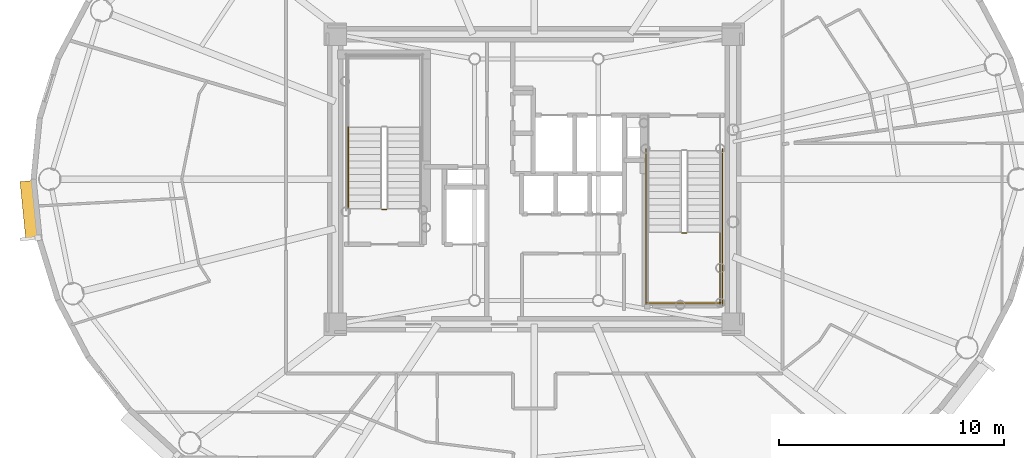
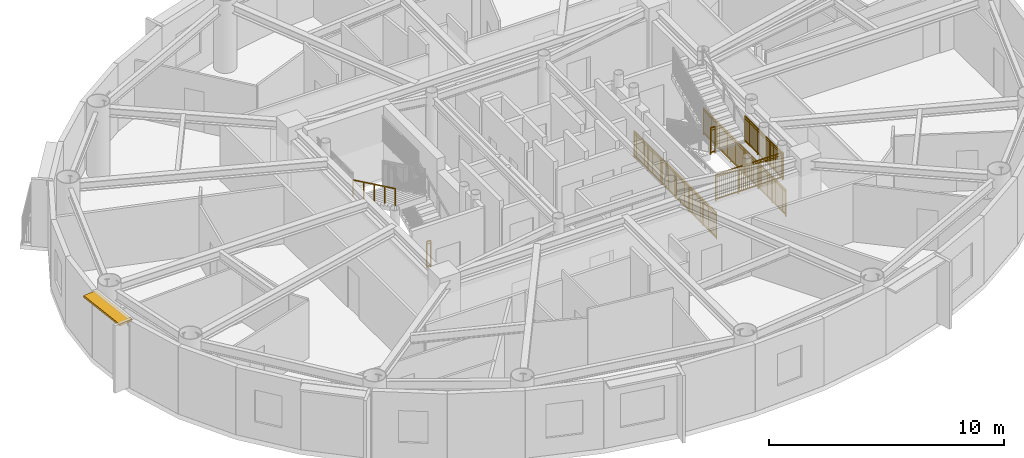
# One storey, part 12 of 17: 7 railings, 1 shading device.
"""IFC4 building model written with IfcOpenShell, lengths in metres."""

from ifc_helpers import new_model, si_unit, direction, frame, origin, origin_2d, place, context, subcontext, project, spatial, rectangle, extrude, source, transform, mapped, material, layer, layer_set, type_object, element, save


model = new_model("IFC4")

# Units and contexts
model_context = context("Model", 3, precision=1e-05, world=origin(), true_north=direction((0.0, 1.0)))
body_context = subcontext(model_context, "Body", "Model", "MODEL_VIEW")
ifc_project = project(units=[si_unit("LENGTHUNIT", "METRE"), si_unit("AREAUNIT", "SQUARE_METRE"), si_unit("VOLUMEUNIT", "CUBIC_METRE"), si_unit("PLANEANGLEUNIT", "RADIAN"), si_unit("MASSUNIT", "GRAM", prefix="KILO")], contexts=[model_context])

# Site, building, storey
site_placement = place(None, origin())
site = spatial("IfcSite", under=ifc_project, at=site_placement, CompositionType="ELEMENT")
building_placement = place(site_placement, origin())
building = spatial("IfcBuilding", under=site, at=building_placement, Name="Linh Dai School and Residence Tower", CompositionType="ELEMENT")
storey_placement = place(building_placement, frame((0.0, 0.0, 276.75)))
storey = spatial("IfcBuildingStorey", under=building, at=storey_placement, Name="L68", CompositionType="ELEMENT", Elevation=276.75)

# Shading device
ifc_material_1 = material(Name="Terracotta Ceramic Sunshade", Category="masonry")
ifc_layer = layer(ifc_material_1, 0.10009765625)
ifc_layer_set = layer_set([ifc_layer], Name="Terracotta Ceramic Sunshade")
shading_device_type = type_object("IfcShadingDeviceType", Name="SHD-TC-650", PredefinedType="USERDEFINED", material=ifc_layer_set)
shared_shape_1 = source(origin(), body_context, "Body", "SweptSolid", [
    extrude(rectangle(XDim=2.62353515625, YDim=0.64990234375, at=origin_2d()), origin(), (0.0, 0.0, 1.0), 0.10009765625),
])
shading_device_placement = place(storey_placement, frame((13.578125, 25.612060546875, 3.3798828125), z_axis=(0.0, 0.0, 1.0), x_axis=(-0.100008034283, 0.994986629598, 0.0)))
element("IfcShadingDevice", 1, at=shading_device_placement, inside=storey, type_object=shading_device_type, Name="L68 Terracotta Horizontal Sunshade Band 21", ObjectType="SUNSHADE", PredefinedType="USERDEFINED", context=body_context, shape_type="MappedRepresentation", body=[
    mapped(shared_shape_1, transform((0.0, 0.0, 0.0), x_axis=(1.0, 0.0, 0.0), y_axis=(0.0, 1.0, 0.0), z_axis=(0.0, 0.0, 1.0), scale=1.0)),
])

# Railings
ifc_material_2 = material(Name="Structural Steel S355JR", Category="steel")
railing_type_1 = type_object("IfcRailingType", Name="RL-ST-GUARD-1400", PredefinedType="GUARDRAIL", material=ifc_material_2)
shared_shape_2 = source(origin(), body_context, "Body", "SweptSolid", [
    extrude(rectangle(XDim=0.048095703125, YDim=0.048095703125, at=origin_2d()), frame((0.0, 0.0, 1.3759765625), z_axis=(-1.0, 0.0, 0.0), x_axis=(0.0, -1.0, 0.0)), (0.0, 0.0, 1.0), 0.199951171875),
    extrude(rectangle(XDim=0.048095703125, YDim=0.048095703125, at=origin_2d()), frame((0.0, 0.0, 0.10009765625), z_axis=(-1.0, 0.0, 0.0), x_axis=(0.0, -1.0, 0.0)), (0.0, 0.0, 1.0), 0.199951171875),
    extrude(rectangle(XDim=0.030029296875, YDim=0.030029296875, at=origin_2d()), frame((0.0, 0.0, 1.239990234375), z_axis=(-1.0, 0.0, 0.0), x_axis=(0.0, -1.0, 0.0)), (0.0, 0.0, 1.0), 0.199951171875),
    extrude(rectangle(XDim=0.0419921875, YDim=0.0419921875, at=origin_2d()), origin(), (0.0, 0.0, 1.0), 1.3759765625),
    extrude(rectangle(XDim=0.0419921875, YDim=0.0419921875, at=origin_2d()), frame((-0.199951171875, 0.0, 0.0)), (0.0, 0.0, 1.0), 1.3759765625),
])
railing_1_placement = place(storey_placement, frame((29.429931640625, 25.64990234375, 0.0)))
element("IfcRailing", 2, at=railing_1_placement, inside=storey, type_object=railing_type_1, Name="L68 ST1 stair guard 7", PredefinedType="GUARDRAIL", context=body_context, shape_type="MappedRepresentation", body=[
    mapped(shared_shape_2, transform((0.0, 0.0, 0.0), x_axis=(1.0, 0.0, 0.0), y_axis=(0.0, 1.0, 0.0), z_axis=(0.0, 0.0, 1.0), scale=1.0)),
])
ifc_material_3 = material(Name="Brushed Stainless Steel Handrail", Category="steel")
railing_type_2 = type_object("IfcRailingType", Name="RL-ST-HANDRAIL-900", PredefinedType="HANDRAIL", material=ifc_material_3)
shared_shape_3 = source(origin(), body_context, "Body", "SweptSolid", [
    extrude(rectangle(XDim=0.048095703125, YDim=0.048095703125, at=origin_2d()), frame((0.0, 0.0, 0.8759765625), z_axis=(0.0, -0.901262522062, 0.433273431364), x_axis=(1.0, 0.0, 0.0)), (0.0, 0.0, 1.0), 3.994384765625),
    extrude(rectangle(XDim=0.0419921875, YDim=0.0419921875, at=origin_2d()), origin(), (0.0, 0.0, 1.0), 0.8759765625),
    extrude(rectangle(XDim=0.0419921875, YDim=0.0419921875, at=origin_2d()), frame((0.0, -0.89990234375, 0.4326171875)), (0.0, 0.0, 1.0), 0.8759765625),
    extrude(rectangle(XDim=0.0419921875, YDim=0.0419921875, at=origin_2d()), frame((0.0, -1.800048828125, 0.865234375)), (0.0, 0.0, 1.0), 0.8759765625),
    extrude(rectangle(XDim=0.0419921875, YDim=0.0419921875, at=origin_2d()), frame((0.0, -2.7001953125, 1.298095703125)), (0.0, 0.0, 1.0), 0.8759765625),
    extrude(rectangle(XDim=0.0419921875, YDim=0.0419921875, at=origin_2d()), frame((0.0, -3.60009765625, 1.730712890625)), (0.0, 0.0, 1.0), 0.8759765625),
])
railing_2_placement = place(storey_placement, frame((27.72998046875, 29.300048828125, 2.019287109375)))
element("IfcRailing", 3, at=railing_2_placement, inside=storey, type_object=railing_type_2, Name="L68 ST1 stair handrail 2", PredefinedType="HANDRAIL", context=body_context, shape_type="MappedRepresentation", body=[
    mapped(shared_shape_3, transform((0.0, 0.0, 0.0), x_axis=(1.0, 0.0, 0.0), y_axis=(0.0, 1.0, 0.0), z_axis=(0.0, 0.0, 1.0), scale=1.0)),
])
shared_shape_4 = source(origin(), body_context, "Body", "SweptSolid", [
    extrude(rectangle(XDim=0.048095703125, YDim=0.048095703125, at=origin_2d()), frame((0.0, 0.0, 1.3759765625), z_axis=(1.0, 0.0, 0.0), x_axis=(0.0, 1.0, 0.0)), (0.0, 0.0, 1.0), 0.199951171875),
    extrude(rectangle(XDim=0.048095703125, YDim=0.048095703125, at=origin_2d()), frame((0.0, 0.0, 0.10009765625), z_axis=(1.0, 0.0, 0.0), x_axis=(0.0, 1.0, 0.0)), (0.0, 0.0, 1.0), 0.199951171875),
    extrude(rectangle(XDim=0.030029296875, YDim=0.030029296875, at=origin_2d()), frame((0.0, 0.0, 1.239990234375), z_axis=(1.0, 0.0, 0.0), x_axis=(0.0, 1.0, 0.0)), (0.0, 0.0, 1.0), 0.199951171875),
    extrude(rectangle(XDim=0.0419921875, YDim=0.0419921875, at=origin_2d()), origin(), (0.0, 0.0, 1.0), 1.3759765625),
    extrude(rectangle(XDim=0.0419921875, YDim=0.0419921875, at=origin_2d()), frame((0.199951171875, 0.0, 0.0)), (0.0, 0.0, 1.0), 1.3759765625),
])
railing_3_placement = place(storey_placement, frame((42.570068359375, 24.60009765625, 1.875)))
element("IfcRailing", 4, at=railing_3_placement, inside=storey, type_object=railing_type_1, Name="L68 ST2 stair guard 2", PredefinedType="GUARDRAIL", context=body_context, shape_type="MappedRepresentation", body=[
    mapped(shared_shape_4, transform((0.0, 0.0, 0.0), x_axis=(1.0, 0.0, 0.0), y_axis=(0.0, 1.0, 0.0), z_axis=(0.0, 0.0, 1.0), scale=1.0)),
])
shared_shape_5 = source(origin(), body_context, "Body", "SweptSolid", [
    extrude(rectangle(XDim=0.048095703125, YDim=0.048095703125, at=origin_2d()), frame((0.0, 0.0, 1.3759765625), z_axis=(1.0, 0.0, 0.0), x_axis=(0.0, 1.0, 0.0)), (0.0, 0.0, 1.0), 3.300048828125),
    extrude(rectangle(XDim=0.048095703125, YDim=0.048095703125, at=origin_2d()), frame((0.0, 0.0, 0.10009765625), z_axis=(1.0, 0.0, 0.0), x_axis=(0.0, 1.0, 0.0)), (0.0, 0.0, 1.0), 3.300048828125),
    extrude(rectangle(XDim=0.030029296875, YDim=0.030029296875, at=origin_2d()), frame((0.0, 0.0, 1.239990234375), z_axis=(1.0, 0.0, 0.0), x_axis=(0.0, 1.0, 0.0)), (0.0, 0.0, 1.0), 3.300048828125),
    extrude(rectangle(XDim=0.02001953125, YDim=0.02001953125, at=origin_2d()), frame((0.09716796875, 0.0, 0.10009765625)), (0.0, 0.0, 1.0), 1.251708984375),
    extrude(rectangle(XDim=0.02001953125, YDim=0.02001953125, at=origin_2d()), frame((0.194091796875, 0.0, 0.10009765625)), (0.0, 0.0, 1.0), 1.251708984375),
    extrude(rectangle(XDim=0.02001953125, YDim=0.02001953125, at=origin_2d()), frame((0.291259765625, 0.0, 0.10009765625)), (0.0, 0.0, 1.0), 1.251708984375),
    extrude(rectangle(XDim=0.02001953125, YDim=0.02001953125, at=origin_2d()), frame((0.38818359375, 0.0, 0.10009765625)), (0.0, 0.0, 1.0), 1.251708984375),
    extrude(rectangle(XDim=0.02001953125, YDim=0.02001953125, at=origin_2d()), frame((0.4853515625, 0.0, 0.10009765625)), (0.0, 0.0, 1.0), 1.251708984375),
    extrude(rectangle(XDim=0.02001953125, YDim=0.02001953125, at=origin_2d()), frame((0.582275390625, 0.0, 0.10009765625)), (0.0, 0.0, 1.0), 1.251708984375),
    extrude(rectangle(XDim=0.02001953125, YDim=0.02001953125, at=origin_2d()), frame((0.679443359375, 0.0, 0.10009765625)), (0.0, 0.0, 1.0), 1.251708984375),
    extrude(rectangle(XDim=0.02001953125, YDim=0.02001953125, at=origin_2d()), frame((0.7763671875, 0.0, 0.10009765625)), (0.0, 0.0, 1.0), 1.251708984375),
    extrude(rectangle(XDim=0.02001953125, YDim=0.02001953125, at=origin_2d()), frame((0.87353515625, 0.0, 0.10009765625)), (0.0, 0.0, 1.0), 1.251708984375),
    extrude(rectangle(XDim=0.02001953125, YDim=0.02001953125, at=origin_2d()), frame((0.970703125, 0.0, 0.10009765625)), (0.0, 0.0, 1.0), 1.251708984375),
    extrude(rectangle(XDim=0.02001953125, YDim=0.02001953125, at=origin_2d()), frame((1.164794921875, 0.0, 0.10009765625)), (0.0, 0.0, 1.0), 1.251708984375),
    extrude(rectangle(XDim=0.02001953125, YDim=0.02001953125, at=origin_2d()), frame((1.26171875, 0.0, 0.10009765625)), (0.0, 0.0, 1.0), 1.251708984375),
    extrude(rectangle(XDim=0.02001953125, YDim=0.02001953125, at=origin_2d()), frame((1.35888671875, 0.0, 0.10009765625)), (0.0, 0.0, 1.0), 1.251708984375),
    extrude(rectangle(XDim=0.02001953125, YDim=0.02001953125, at=origin_2d()), frame((1.455810546875, 0.0, 0.10009765625)), (0.0, 0.0, 1.0), 1.251708984375),
    extrude(rectangle(XDim=0.02001953125, YDim=0.02001953125, at=origin_2d()), frame((1.552978515625, 0.0, 0.10009765625)), (0.0, 0.0, 1.0), 1.251708984375),
    extrude(rectangle(XDim=0.02001953125, YDim=0.02001953125, at=origin_2d()), frame((1.64990234375, 0.0, 0.10009765625)), (0.0, 0.0, 1.0), 1.251708984375),
    extrude(rectangle(XDim=0.02001953125, YDim=0.02001953125, at=origin_2d()), frame((1.7470703125, 0.0, 0.10009765625)), (0.0, 0.0, 1.0), 1.251708984375),
    extrude(rectangle(XDim=0.02001953125, YDim=0.02001953125, at=origin_2d()), frame((1.84423828125, 0.0, 0.10009765625)), (0.0, 0.0, 1.0), 1.251708984375),
    extrude(rectangle(XDim=0.02001953125, YDim=0.02001953125, at=origin_2d()), frame((1.941162109375, 0.0, 0.10009765625)), (0.0, 0.0, 1.0), 1.251708984375),
    extrude(rectangle(XDim=0.02001953125, YDim=0.02001953125, at=origin_2d()), frame((2.038330078125, 0.0, 0.10009765625)), (0.0, 0.0, 1.0), 1.251708984375),
    extrude(rectangle(XDim=0.02001953125, YDim=0.02001953125, at=origin_2d()), frame((2.13525390625, 0.0, 0.10009765625)), (0.0, 0.0, 1.0), 1.251708984375),
    extrude(rectangle(XDim=0.02001953125, YDim=0.02001953125, at=origin_2d()), frame((2.329345703125, 0.0, 0.10009765625)), (0.0, 0.0, 1.0), 1.251708984375),
    extrude(rectangle(XDim=0.02001953125, YDim=0.02001953125, at=origin_2d()), frame((2.426513671875, 0.0, 0.10009765625)), (0.0, 0.0, 1.0), 1.251708984375),
    extrude(rectangle(XDim=0.02001953125, YDim=0.02001953125, at=origin_2d()), frame((2.523681640625, 0.0, 0.10009765625)), (0.0, 0.0, 1.0), 1.251708984375),
    extrude(rectangle(XDim=0.02001953125, YDim=0.02001953125, at=origin_2d()), frame((2.62060546875, 0.0, 0.10009765625)), (0.0, 0.0, 1.0), 1.251708984375),
    extrude(rectangle(XDim=0.02001953125, YDim=0.02001953125, at=origin_2d()), frame((2.7177734375, 0.0, 0.10009765625)), (0.0, 0.0, 1.0), 1.251708984375),
    extrude(rectangle(XDim=0.02001953125, YDim=0.02001953125, at=origin_2d()), frame((2.814697265625, 0.0, 0.10009765625)), (0.0, 0.0, 1.0), 1.251708984375),
    extrude(rectangle(XDim=0.02001953125, YDim=0.02001953125, at=origin_2d()), frame((2.911865234375, 0.0, 0.10009765625)), (0.0, 0.0, 1.0), 1.251708984375),
    extrude(rectangle(XDim=0.02001953125, YDim=0.02001953125, at=origin_2d()), frame((3.0087890625, 0.0, 0.10009765625)), (0.0, 0.0, 1.0), 1.251708984375),
    extrude(rectangle(XDim=0.02001953125, YDim=0.02001953125, at=origin_2d()), frame((3.10595703125, 0.0, 0.10009765625)), (0.0, 0.0, 1.0), 1.251708984375),
    extrude(rectangle(XDim=0.02001953125, YDim=0.02001953125, at=origin_2d()), frame((3.202880859375, 0.0, 0.10009765625)), (0.0, 0.0, 1.0), 1.251708984375),
    extrude(rectangle(XDim=0.0419921875, YDim=0.0419921875, at=origin_2d()), origin(), (0.0, 0.0, 1.0), 1.3759765625),
    extrude(rectangle(XDim=0.0419921875, YDim=0.0419921875, at=origin_2d()), frame((1.10009765625, 0.0, 0.0)), (0.0, 0.0, 1.0), 1.3759765625),
    extrude(rectangle(XDim=0.0419921875, YDim=0.0419921875, at=origin_2d()), frame((2.199951171875, 0.0, 0.0)), (0.0, 0.0, 1.0), 1.3759765625),
    extrude(rectangle(XDim=0.0419921875, YDim=0.0419921875, at=origin_2d()), frame((3.300048828125, 0.0, 0.0)), (0.0, 0.0, 1.0), 1.3759765625),
])
railing_4_placement = place(storey_placement, frame((41.02001953125, 21.5, 1.875)))
element("IfcRailing", 5, at=railing_4_placement, inside=storey, type_object=railing_type_1, Name="L68 ST2 stair guard 5", PredefinedType="GUARDRAIL", context=body_context, shape_type="MappedRepresentation", body=[
    mapped(shared_shape_5, transform((0.0, 0.0, 0.0), x_axis=(1.0, 0.0, 0.0), y_axis=(0.0, 1.0, 0.0), z_axis=(0.0, 0.0, 1.0), scale=1.0)),
])
shared_shape_6 = source(origin(), body_context, "Body", "SweptSolid", [
    extrude(rectangle(XDim=0.048095703125, YDim=0.048095703125, at=origin_2d()), frame((0.0, 0.0, 1.3759765625), z_axis=(0.0, -1.0, 0.0), x_axis=(1.0, 0.0, 0.0)), (0.0, 0.0, 1.0), 7.0),
    extrude(rectangle(XDim=0.048095703125, YDim=0.048095703125, at=origin_2d()), frame((0.0, 0.0, 0.10009765625), z_axis=(0.0, -1.0, 0.0), x_axis=(1.0, 0.0, 0.0)), (0.0, 0.0, 1.0), 7.0),
    extrude(rectangle(XDim=0.030029296875, YDim=0.030029296875, at=origin_2d()), frame((0.0, 0.0, 1.239990234375), z_axis=(0.0, -1.0, 0.0), x_axis=(1.0, 0.0, 0.0)), (0.0, 0.0, 1.0), 7.0),
    extrude(rectangle(XDim=0.02001953125, YDim=0.02001953125, at=origin_2d()), frame((0.0, -0.09716796875, 0.10009765625)), (0.0, 0.0, 1.0), 1.251708984375),
    extrude(rectangle(XDim=0.02001953125, YDim=0.02001953125, at=origin_2d()), frame((0.0, -0.1943359375, 0.10009765625)), (0.0, 0.0, 1.0), 1.251708984375),
    extrude(rectangle(XDim=0.02001953125, YDim=0.02001953125, at=origin_2d()), frame((0.0, -0.291748046875, 0.10009765625)), (0.0, 0.0, 1.0), 1.251708984375),
    extrude(rectangle(XDim=0.02001953125, YDim=0.02001953125, at=origin_2d()), frame((0.0, -0.388916015625, 0.10009765625)), (0.0, 0.0, 1.0), 1.251708984375),
    extrude(rectangle(XDim=0.02001953125, YDim=0.02001953125, at=origin_2d()), frame((0.0, -0.486083984375, 0.10009765625)), (0.0, 0.0, 1.0), 1.251708984375),
    extrude(rectangle(XDim=0.02001953125, YDim=0.02001953125, at=origin_2d()), frame((0.0, -0.583251953125, 0.10009765625)), (0.0, 0.0, 1.0), 1.251708984375),
    extrude(rectangle(XDim=0.02001953125, YDim=0.02001953125, at=origin_2d()), frame((0.0, -0.6806640625, 0.10009765625)), (0.0, 0.0, 1.0), 1.251708984375),
    extrude(rectangle(XDim=0.02001953125, YDim=0.02001953125, at=origin_2d()), frame((0.0, -0.77783203125, 0.10009765625)), (0.0, 0.0, 1.0), 1.251708984375),
    extrude(rectangle(XDim=0.02001953125, YDim=0.02001953125, at=origin_2d()), frame((0.0, -0.875, 0.10009765625)), (0.0, 0.0, 1.0), 1.251708984375),
    extrude(rectangle(XDim=0.02001953125, YDim=0.02001953125, at=origin_2d()), frame((0.0, -0.97216796875, 0.10009765625)), (0.0, 0.0, 1.0), 1.251708984375),
    extrude(rectangle(XDim=0.02001953125, YDim=0.02001953125, at=origin_2d()), frame((0.0, -1.0693359375, 0.10009765625)), (0.0, 0.0, 1.0), 1.251708984375),
    extrude(rectangle(XDim=0.02001953125, YDim=0.02001953125, at=origin_2d()), frame((0.0, -1.263916015625, 0.10009765625)), (0.0, 0.0, 1.0), 1.251708984375),
    extrude(rectangle(XDim=0.02001953125, YDim=0.02001953125, at=origin_2d()), frame((0.0, -1.361083984375, 0.10009765625)), (0.0, 0.0, 1.0), 1.251708984375),
    extrude(rectangle(XDim=0.02001953125, YDim=0.02001953125, at=origin_2d()), frame((0.0, -1.458251953125, 0.10009765625)), (0.0, 0.0, 1.0), 1.251708984375),
    extrude(rectangle(XDim=0.02001953125, YDim=0.02001953125, at=origin_2d()), frame((0.0, -1.5556640625, 0.10009765625)), (0.0, 0.0, 1.0), 1.251708984375),
    extrude(rectangle(XDim=0.02001953125, YDim=0.02001953125, at=origin_2d()), frame((0.0, -1.65283203125, 0.10009765625)), (0.0, 0.0, 1.0), 1.251708984375),
    extrude(rectangle(XDim=0.02001953125, YDim=0.02001953125, at=origin_2d()), frame((0.0, -1.75, 0.10009765625)), (0.0, 0.0, 1.0), 1.251708984375),
    extrude(rectangle(XDim=0.02001953125, YDim=0.02001953125, at=origin_2d()), frame((0.0, -1.84716796875, 0.10009765625)), (0.0, 0.0, 1.0), 1.251708984375),
    extrude(rectangle(XDim=0.02001953125, YDim=0.02001953125, at=origin_2d()), frame((0.0, -1.9443359375, 0.10009765625)), (0.0, 0.0, 1.0), 1.251708984375),
    extrude(rectangle(XDim=0.02001953125, YDim=0.02001953125, at=origin_2d()), frame((0.0, -2.041748046875, 0.10009765625)), (0.0, 0.0, 1.0), 1.251708984375),
    extrude(rectangle(XDim=0.02001953125, YDim=0.02001953125, at=origin_2d()), frame((0.0, -2.138916015625, 0.10009765625)), (0.0, 0.0, 1.0), 1.251708984375),
    extrude(rectangle(XDim=0.02001953125, YDim=0.02001953125, at=origin_2d()), frame((0.0, -2.236083984375, 0.10009765625)), (0.0, 0.0, 1.0), 1.251708984375),
    extrude(rectangle(XDim=0.02001953125, YDim=0.02001953125, at=origin_2d()), frame((0.0, -2.4306640625, 0.10009765625)), (0.0, 0.0, 1.0), 1.251708984375),
    extrude(rectangle(XDim=0.02001953125, YDim=0.02001953125, at=origin_2d()), frame((0.0, -2.52783203125, 0.10009765625)), (0.0, 0.0, 1.0), 1.251708984375),
    extrude(rectangle(XDim=0.02001953125, YDim=0.02001953125, at=origin_2d()), frame((0.0, -2.625, 0.10009765625)), (0.0, 0.0, 1.0), 1.251708984375),
    extrude(rectangle(XDim=0.02001953125, YDim=0.02001953125, at=origin_2d()), frame((0.0, -2.72216796875, 0.10009765625)), (0.0, 0.0, 1.0), 1.251708984375),
    extrude(rectangle(XDim=0.02001953125, YDim=0.02001953125, at=origin_2d()), frame((0.0, -2.8193359375, 0.10009765625)), (0.0, 0.0, 1.0), 1.251708984375),
    extrude(rectangle(XDim=0.02001953125, YDim=0.02001953125, at=origin_2d()), frame((0.0, -2.916748046875, 0.10009765625)), (0.0, 0.0, 1.0), 1.251708984375),
    extrude(rectangle(XDim=0.02001953125, YDim=0.02001953125, at=origin_2d()), frame((0.0, -3.013916015625, 0.10009765625)), (0.0, 0.0, 1.0), 1.251708984375),
    extrude(rectangle(XDim=0.02001953125, YDim=0.02001953125, at=origin_2d()), frame((0.0, -3.111083984375, 0.10009765625)), (0.0, 0.0, 1.0), 1.251708984375),
    extrude(rectangle(XDim=0.02001953125, YDim=0.02001953125, at=origin_2d()), frame((0.0, -3.208251953125, 0.10009765625)), (0.0, 0.0, 1.0), 1.251708984375),
    extrude(rectangle(XDim=0.02001953125, YDim=0.02001953125, at=origin_2d()), frame((0.0, -3.3056640625, 0.10009765625)), (0.0, 0.0, 1.0), 1.251708984375),
    extrude(rectangle(XDim=0.02001953125, YDim=0.02001953125, at=origin_2d()), frame((0.0, -3.40283203125, 0.10009765625)), (0.0, 0.0, 1.0), 1.251708984375),
    extrude(rectangle(XDim=0.02001953125, YDim=0.02001953125, at=origin_2d()), frame((0.0, -3.59716796875, 0.10009765625)), (0.0, 0.0, 1.0), 1.251708984375),
    extrude(rectangle(XDim=0.02001953125, YDim=0.02001953125, at=origin_2d()), frame((0.0, -3.6943359375, 0.10009765625)), (0.0, 0.0, 1.0), 1.251708984375),
    extrude(rectangle(XDim=0.02001953125, YDim=0.02001953125, at=origin_2d()), frame((0.0, -3.791748046875, 0.10009765625)), (0.0, 0.0, 1.0), 1.251708984375),
    extrude(rectangle(XDim=0.02001953125, YDim=0.02001953125, at=origin_2d()), frame((0.0, -3.888916015625, 0.10009765625)), (0.0, 0.0, 1.0), 1.251708984375),
    extrude(rectangle(XDim=0.02001953125, YDim=0.02001953125, at=origin_2d()), frame((0.0, -3.986083984375, 0.10009765625)), (0.0, 0.0, 1.0), 1.251708984375),
    extrude(rectangle(XDim=0.02001953125, YDim=0.02001953125, at=origin_2d()), frame((0.0, -4.083251953125, 0.10009765625)), (0.0, 0.0, 1.0), 1.251708984375),
    extrude(rectangle(XDim=0.02001953125, YDim=0.02001953125, at=origin_2d()), frame((0.0, -4.1806640625, 0.10009765625)), (0.0, 0.0, 1.0), 1.251708984375),
    extrude(rectangle(XDim=0.02001953125, YDim=0.02001953125, at=origin_2d()), frame((0.0, -4.27783203125, 0.10009765625)), (0.0, 0.0, 1.0), 1.251708984375),
    extrude(rectangle(XDim=0.02001953125, YDim=0.02001953125, at=origin_2d()), frame((0.0, -4.375, 0.10009765625)), (0.0, 0.0, 1.0), 1.251708984375),
    extrude(rectangle(XDim=0.02001953125, YDim=0.02001953125, at=origin_2d()), frame((0.0, -4.47216796875, 0.10009765625)), (0.0, 0.0, 1.0), 1.251708984375),
    extrude(rectangle(XDim=0.02001953125, YDim=0.02001953125, at=origin_2d()), frame((0.0, -4.5693359375, 0.10009765625)), (0.0, 0.0, 1.0), 1.251708984375),
    extrude(rectangle(XDim=0.02001953125, YDim=0.02001953125, at=origin_2d()), frame((0.0, -4.763916015625, 0.10009765625)), (0.0, 0.0, 1.0), 1.251708984375),
    extrude(rectangle(XDim=0.02001953125, YDim=0.02001953125, at=origin_2d()), frame((0.0, -4.861083984375, 0.10009765625)), (0.0, 0.0, 1.0), 1.251708984375),
    extrude(rectangle(XDim=0.02001953125, YDim=0.02001953125, at=origin_2d()), frame((0.0, -4.958251953125, 0.10009765625)), (0.0, 0.0, 1.0), 1.251708984375),
    extrude(rectangle(XDim=0.02001953125, YDim=0.02001953125, at=origin_2d()), frame((0.0, -5.0556640625, 0.10009765625)), (0.0, 0.0, 1.0), 1.251708984375),
    extrude(rectangle(XDim=0.02001953125, YDim=0.02001953125, at=origin_2d()), frame((0.0, -5.15283203125, 0.10009765625)), (0.0, 0.0, 1.0), 1.251708984375),
    extrude(rectangle(XDim=0.02001953125, YDim=0.02001953125, at=origin_2d()), frame((0.0, -5.25, 0.10009765625)), (0.0, 0.0, 1.0), 1.251708984375),
    extrude(rectangle(XDim=0.02001953125, YDim=0.02001953125, at=origin_2d()), frame((0.0, -5.34716796875, 0.10009765625)), (0.0, 0.0, 1.0), 1.251708984375),
    extrude(rectangle(XDim=0.02001953125, YDim=0.02001953125, at=origin_2d()), frame((0.0, -5.4443359375, 0.10009765625)), (0.0, 0.0, 1.0), 1.251708984375),
    extrude(rectangle(XDim=0.02001953125, YDim=0.02001953125, at=origin_2d()), frame((0.0, -5.541748046875, 0.10009765625)), (0.0, 0.0, 1.0), 1.251708984375),
    extrude(rectangle(XDim=0.02001953125, YDim=0.02001953125, at=origin_2d()), frame((0.0, -5.638916015625, 0.10009765625)), (0.0, 0.0, 1.0), 1.251708984375),
    extrude(rectangle(XDim=0.02001953125, YDim=0.02001953125, at=origin_2d()), frame((0.0, -5.736083984375, 0.10009765625)), (0.0, 0.0, 1.0), 1.251708984375),
    extrude(rectangle(XDim=0.02001953125, YDim=0.02001953125, at=origin_2d()), frame((0.0, -5.9306640625, 0.10009765625)), (0.0, 0.0, 1.0), 1.251708984375),
    extrude(rectangle(XDim=0.02001953125, YDim=0.02001953125, at=origin_2d()), frame((0.0, -6.02783203125, 0.10009765625)), (0.0, 0.0, 1.0), 1.251708984375),
    extrude(rectangle(XDim=0.02001953125, YDim=0.02001953125, at=origin_2d()), frame((0.0, -6.125, 0.10009765625)), (0.0, 0.0, 1.0), 1.251708984375),
    extrude(rectangle(XDim=0.02001953125, YDim=0.02001953125, at=origin_2d()), frame((0.0, -6.22216796875, 0.10009765625)), (0.0, 0.0, 1.0), 1.251708984375),
    extrude(rectangle(XDim=0.02001953125, YDim=0.02001953125, at=origin_2d()), frame((0.0, -6.3193359375, 0.10009765625)), (0.0, 0.0, 1.0), 1.251708984375),
    extrude(rectangle(XDim=0.02001953125, YDim=0.02001953125, at=origin_2d()), frame((0.0, -6.416748046875, 0.10009765625)), (0.0, 0.0, 1.0), 1.251708984375),
    extrude(rectangle(XDim=0.02001953125, YDim=0.02001953125, at=origin_2d()), frame((0.0, -6.513916015625, 0.10009765625)), (0.0, 0.0, 1.0), 1.251708984375),
    extrude(rectangle(XDim=0.02001953125, YDim=0.02001953125, at=origin_2d()), frame((0.0, -6.611083984375, 0.10009765625)), (0.0, 0.0, 1.0), 1.251708984375),
    extrude(rectangle(XDim=0.02001953125, YDim=0.02001953125, at=origin_2d()), frame((0.0, -6.708251953125, 0.10009765625)), (0.0, 0.0, 1.0), 1.251708984375),
    extrude(rectangle(XDim=0.02001953125, YDim=0.02001953125, at=origin_2d()), frame((0.0, -6.8056640625, 0.10009765625)), (0.0, 0.0, 1.0), 1.251708984375),
    extrude(rectangle(XDim=0.02001953125, YDim=0.02001953125, at=origin_2d()), frame((0.0, -6.90283203125, 0.10009765625)), (0.0, 0.0, 1.0), 1.251708984375),
    extrude(rectangle(XDim=0.0419921875, YDim=0.0419921875, at=origin_2d()), origin(), (0.0, 0.0, 1.0), 1.3759765625),
    extrude(rectangle(XDim=0.0419921875, YDim=0.0419921875, at=origin_2d()), frame((0.0, -1.166748046875, 0.0)), (0.0, 0.0, 1.0), 1.3759765625),
    extrude(rectangle(XDim=0.0419921875, YDim=0.0419921875, at=origin_2d()), frame((0.0, -2.333251953125, 0.0)), (0.0, 0.0, 1.0), 1.3759765625),
    extrude(rectangle(XDim=0.0419921875, YDim=0.0419921875, at=origin_2d()), frame((0.0, -3.5, 0.0)), (0.0, 0.0, 1.0), 1.3759765625),
    extrude(rectangle(XDim=0.0419921875, YDim=0.0419921875, at=origin_2d()), frame((0.0, -4.666748046875, 0.0)), (0.0, 0.0, 1.0), 1.3759765625),
    extrude(rectangle(XDim=0.0419921875, YDim=0.0419921875, at=origin_2d()), frame((0.0, -5.833251953125, 0.0)), (0.0, 0.0, 1.0), 1.3759765625),
    extrude(rectangle(XDim=0.0419921875, YDim=0.0419921875, at=origin_2d()), frame((0.0, -7.0, 0.0)), (0.0, 0.0, 1.0), 1.3759765625),
])
for number, where, name in (
    (6, (40.969970703125, 28.35009765625, 0.0), "L68 ST2 stair guard 10"),
    (7, (44.3701171875, 28.35009765625, 0.0), "L68 ST2 stair guard 11"),
):
    element("IfcRailing", number, at=place(storey_placement, frame(where)), inside=storey, type_object=railing_type_1, Name=name, PredefinedType="GUARDRAIL", context=body_context, shape_type="MappedRepresentation", body=[
        mapped(shared_shape_6, transform((0.0, 0.0, 0.0), x_axis=(1.0, 0.0, 0.0), y_axis=(0.0, 1.0, 0.0), z_axis=(0.0, 0.0, 1.0), scale=1.0)),
    ])
shared_shape_7 = source(origin(), body_context, "Body", "SweptSolid", [
    extrude(rectangle(XDim=0.048095703125, YDim=0.048095703125, at=origin_2d()), frame((0.0, 0.0, 1.3759765625), z_axis=(0.0, -1.0, 0.0), x_axis=(1.0, 0.0, 0.0)), (0.0, 0.0, 1.0), 3.199951171875),
    extrude(rectangle(XDim=0.048095703125, YDim=0.048095703125, at=origin_2d()), frame((0.0, 0.0, 0.10009765625), z_axis=(0.0, -1.0, 0.0), x_axis=(1.0, 0.0, 0.0)), (0.0, 0.0, 1.0), 3.199951171875),
    extrude(rectangle(XDim=0.030029296875, YDim=0.030029296875, at=origin_2d()), frame((0.0, 0.0, 1.239990234375), z_axis=(0.0, -1.0, 0.0), x_axis=(1.0, 0.0, 0.0)), (0.0, 0.0, 1.0), 3.199951171875),
    extrude(rectangle(XDim=0.02001953125, YDim=0.02001953125, at=origin_2d()), frame((0.0, -0.096923828125, 0.10009765625)), (0.0, 0.0, 1.0), 1.251708984375),
    extrude(rectangle(XDim=0.02001953125, YDim=0.02001953125, at=origin_2d()), frame((0.0, -0.19384765625, 0.10009765625)), (0.0, 0.0, 1.0), 1.251708984375),
    extrude(rectangle(XDim=0.02001953125, YDim=0.02001953125, at=origin_2d()), frame((0.0, -0.291015625, 0.10009765625)), (0.0, 0.0, 1.0), 1.251708984375),
    extrude(rectangle(XDim=0.02001953125, YDim=0.02001953125, at=origin_2d()), frame((0.0, -0.387939453125, 0.10009765625)), (0.0, 0.0, 1.0), 1.251708984375),
    extrude(rectangle(XDim=0.02001953125, YDim=0.02001953125, at=origin_2d()), frame((0.0, -0.48486328125, 0.10009765625)), (0.0, 0.0, 1.0), 1.251708984375),
    extrude(rectangle(XDim=0.02001953125, YDim=0.02001953125, at=origin_2d()), frame((0.0, -0.581787109375, 0.10009765625)), (0.0, 0.0, 1.0), 1.251708984375),
    extrude(rectangle(XDim=0.02001953125, YDim=0.02001953125, at=origin_2d()), frame((0.0, -0.6787109375, 0.10009765625)), (0.0, 0.0, 1.0), 1.251708984375),
    extrude(rectangle(XDim=0.02001953125, YDim=0.02001953125, at=origin_2d()), frame((0.0, -0.775634765625, 0.10009765625)), (0.0, 0.0, 1.0), 1.251708984375),
    extrude(rectangle(XDim=0.02001953125, YDim=0.02001953125, at=origin_2d()), frame((0.0, -0.872802734375, 0.10009765625)), (0.0, 0.0, 1.0), 1.251708984375),
    extrude(rectangle(XDim=0.02001953125, YDim=0.02001953125, at=origin_2d()), frame((0.0, -0.9697265625, 0.10009765625)), (0.0, 0.0, 1.0), 1.251708984375),
    extrude(rectangle(XDim=0.02001953125, YDim=0.02001953125, at=origin_2d()), frame((0.0, -1.16357421875, 0.10009765625)), (0.0, 0.0, 1.0), 1.251708984375),
    extrude(rectangle(XDim=0.02001953125, YDim=0.02001953125, at=origin_2d()), frame((0.0, -1.260498046875, 0.10009765625)), (0.0, 0.0, 1.0), 1.251708984375),
    extrude(rectangle(XDim=0.02001953125, YDim=0.02001953125, at=origin_2d()), frame((0.0, -1.357666015625, 0.10009765625)), (0.0, 0.0, 1.0), 1.251708984375),
    extrude(rectangle(XDim=0.02001953125, YDim=0.02001953125, at=origin_2d()), frame((0.0, -1.45458984375, 0.10009765625)), (0.0, 0.0, 1.0), 1.251708984375),
    extrude(rectangle(XDim=0.02001953125, YDim=0.02001953125, at=origin_2d()), frame((0.0, -1.551513671875, 0.10009765625)), (0.0, 0.0, 1.0), 1.251708984375),
    extrude(rectangle(XDim=0.02001953125, YDim=0.02001953125, at=origin_2d()), frame((0.0, -1.6484375, 0.10009765625)), (0.0, 0.0, 1.0), 1.251708984375),
    extrude(rectangle(XDim=0.02001953125, YDim=0.02001953125, at=origin_2d()), frame((0.0, -1.745361328125, 0.10009765625)), (0.0, 0.0, 1.0), 1.251708984375),
    extrude(rectangle(XDim=0.02001953125, YDim=0.02001953125, at=origin_2d()), frame((0.0, -1.84228515625, 0.10009765625)), (0.0, 0.0, 1.0), 1.251708984375),
    extrude(rectangle(XDim=0.02001953125, YDim=0.02001953125, at=origin_2d()), frame((0.0, -1.939453125, 0.10009765625)), (0.0, 0.0, 1.0), 1.251708984375),
    extrude(rectangle(XDim=0.02001953125, YDim=0.02001953125, at=origin_2d()), frame((0.0, -2.036376953125, 0.10009765625)), (0.0, 0.0, 1.0), 1.251708984375),
    extrude(rectangle(XDim=0.02001953125, YDim=0.02001953125, at=origin_2d()), frame((0.0, -2.230224609375, 0.10009765625)), (0.0, 0.0, 1.0), 1.251708984375),
    extrude(rectangle(XDim=0.02001953125, YDim=0.02001953125, at=origin_2d()), frame((0.0, -2.3271484375, 0.10009765625)), (0.0, 0.0, 1.0), 1.251708984375),
    extrude(rectangle(XDim=0.02001953125, YDim=0.02001953125, at=origin_2d()), frame((0.0, -2.42431640625, 0.10009765625)), (0.0, 0.0, 1.0), 1.251708984375),
    extrude(rectangle(XDim=0.02001953125, YDim=0.02001953125, at=origin_2d()), frame((0.0, -2.521240234375, 0.10009765625)), (0.0, 0.0, 1.0), 1.251708984375),
    extrude(rectangle(XDim=0.02001953125, YDim=0.02001953125, at=origin_2d()), frame((0.0, -2.6181640625, 0.10009765625)), (0.0, 0.0, 1.0), 1.251708984375),
    extrude(rectangle(XDim=0.02001953125, YDim=0.02001953125, at=origin_2d()), frame((0.0, -2.715087890625, 0.10009765625)), (0.0, 0.0, 1.0), 1.251708984375),
    extrude(rectangle(XDim=0.02001953125, YDim=0.02001953125, at=origin_2d()), frame((0.0, -2.81201171875, 0.10009765625)), (0.0, 0.0, 1.0), 1.251708984375),
    extrude(rectangle(XDim=0.02001953125, YDim=0.02001953125, at=origin_2d()), frame((0.0, -2.908935546875, 0.10009765625)), (0.0, 0.0, 1.0), 1.251708984375),
    extrude(rectangle(XDim=0.02001953125, YDim=0.02001953125, at=origin_2d()), frame((0.0, -3.006103515625, 0.10009765625)), (0.0, 0.0, 1.0), 1.251708984375),
    extrude(rectangle(XDim=0.02001953125, YDim=0.02001953125, at=origin_2d()), frame((0.0, -3.10302734375, 0.10009765625)), (0.0, 0.0, 1.0), 1.251708984375),
    extrude(rectangle(XDim=0.0419921875, YDim=0.0419921875, at=origin_2d()), origin(), (0.0, 0.0, 1.0), 1.3759765625),
    extrude(rectangle(XDim=0.0419921875, YDim=0.0419921875, at=origin_2d()), frame((0.0, -1.066650390625, 0.0)), (0.0, 0.0, 1.0), 1.3759765625),
    extrude(rectangle(XDim=0.0419921875, YDim=0.0419921875, at=origin_2d()), frame((0.0, -2.13330078125, 0.0)), (0.0, 0.0, 1.0), 1.3759765625),
    extrude(rectangle(XDim=0.0419921875, YDim=0.0419921875, at=origin_2d()), frame((0.0, -3.199951171875, 0.0)), (0.0, 0.0, 1.0), 1.3759765625),
])
railing_5_placement = place(storey_placement, frame((44.27001953125, 24.64990234375, 1.875)))
element("IfcRailing", 8, at=railing_5_placement, inside=storey, type_object=railing_type_1, Name="L68 ST2 stair guard 4", PredefinedType="GUARDRAIL", context=body_context, shape_type="MappedRepresentation", body=[
    mapped(shared_shape_7, transform((0.0, 0.0, 0.0), x_axis=(1.0, 0.0, 0.0), y_axis=(0.0, 1.0, 0.0), z_axis=(0.0, 0.0, 1.0), scale=1.0)),
])

save(model, "model.ifc")
